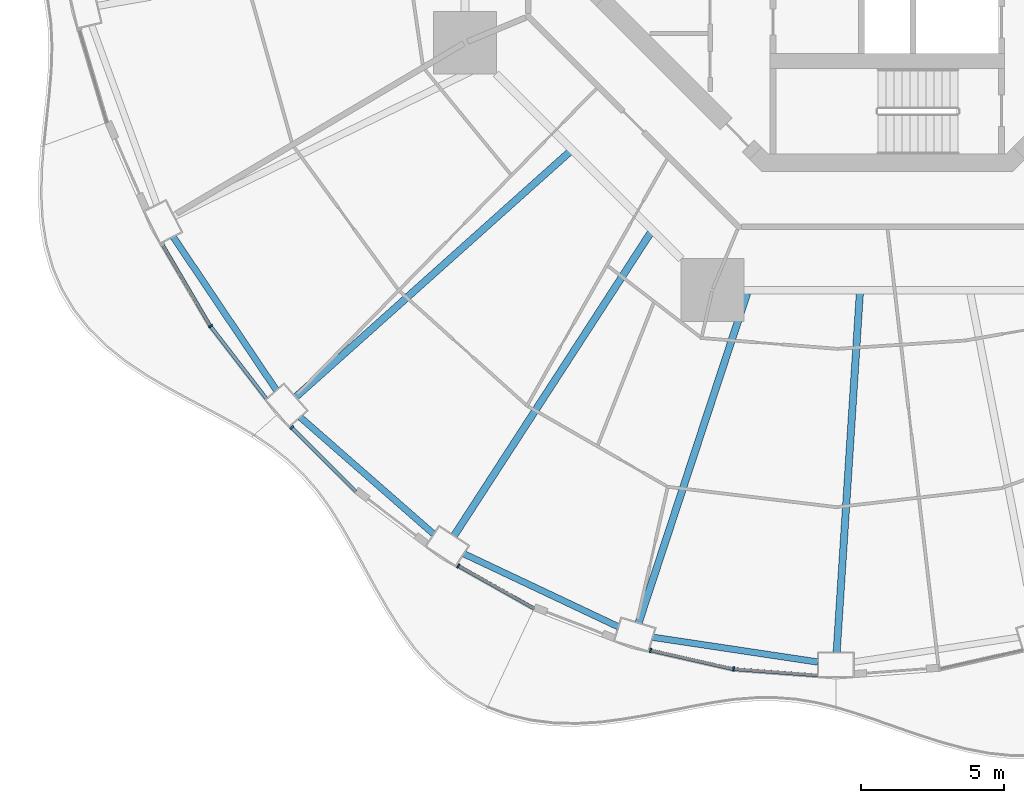
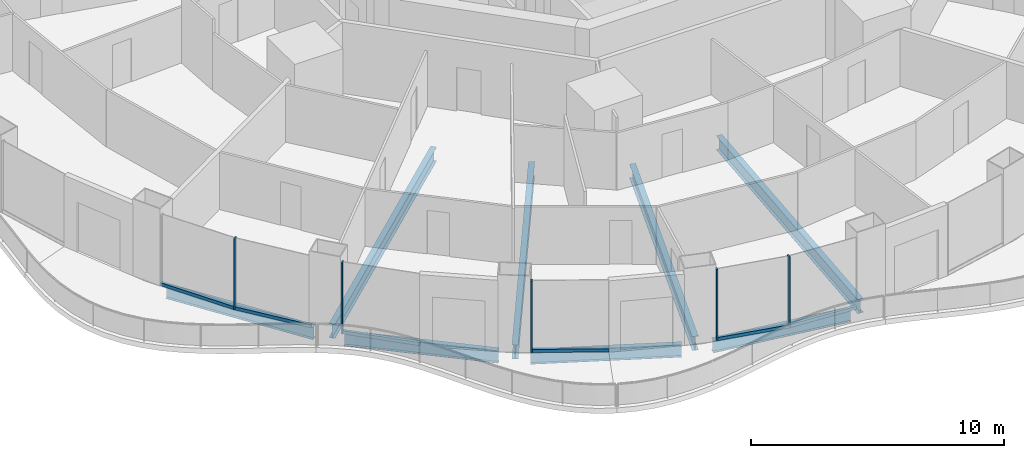
# One storey, part 2 of 22: 11 members, 8 beams, 6 elements without a shape of their own.
"""IFC4 building model written with IfcOpenShell, lengths in metres."""

from ifc_helpers import new_model, si_unit, direction, frame, origin, origin_2d, place, context, subcontext, project, spatial, rectangle, i_section, extrude, material, layer, layer_set, material_profile, profile_set, type_object, element, aggregate, save


model = new_model("IFC4")

# Units and contexts
model_context = context("Model", 3, precision=1e-05, world=origin(), true_north=direction((0.0, 1.0)))
body_context = subcontext(model_context, "Body", "Model", "MODEL_VIEW")
ifc_project = project(units=[si_unit("LENGTHUNIT", "METRE"), si_unit("AREAUNIT", "SQUARE_METRE"), si_unit("VOLUMEUNIT", "CUBIC_METRE"), si_unit("PLANEANGLEUNIT", "RADIAN"), si_unit("MASSUNIT", "GRAM", prefix="KILO")], contexts=[model_context])

# Site, building, storey
site_placement = place(None, origin())
site = spatial("IfcSite", under=ifc_project, at=site_placement, CompositionType="ELEMENT")
building_placement = place(site_placement, origin())
building = spatial("IfcBuilding", under=site, at=building_placement, Name="Nagisa Residences", CompositionType="ELEMENT")
storey_placement = place(building_placement, frame((0.0, 0.0, 88.10009765625)))
storey = spatial("IfcBuildingStorey", under=building, at=storey_placement, Name="L21", CompositionType="ELEMENT", Elevation=88.10009765625)

# Curtain wall, member
ifc_material_1 = material(Name="Concrete-coloured aluminium curtain wall system", Category="concrete")
ifc_layer = layer(ifc_material_1, 0.159912109375)
ifc_layer_set = layer_set([ifc_layer], Name="CW1 CURTAIN WALL")
curtain_wall_type = type_object("IfcCurtainWallType", Name="CW1 CURTAIN WALL", PredefinedType="NOTDEFINED", material=ifc_layer_set)
curtain_wall_1_placement = place(storey_placement, origin())
curtain_wall_1 = element("IfcCurtainWall", 1, at=curtain_wall_1_placement, inside=storey, type_object=curtain_wall_type, Name="cw:CW1:L21:29", PredefinedType="NOTDEFINED")
ifc_material_2 = material(Name="Concrete-coloured aluminium", Category="concrete")
ifc_material_profile_1 = material_profile(ifc_material_2, rectangle(XDim=0.159912109375, YDim=0.06005859375, at=origin_2d()), Name="CW1 MULLION 160x60")
ifc_profile_set_1 = profile_set([ifc_material_profile_1], Name="Concrete-coloured aluminium")
member_type_1 = type_object("IfcMemberType", Name="CW1 MULLION 160x60", PredefinedType="MULLION", material=ifc_profile_set_1)
member_1_placement = place(storey_placement, frame((-23.690185546875, -16.042236328125, 0.0), z_axis=(0.0, 0.0, 1.0), x_axis=(0.792070340816, 0.610429828235, 0.0)))
member_1 = element("IfcMember", 2, at=member_1_placement, type_object=member_type_1, Name="CW1 mullion", PredefinedType="MULLION", context=body_context, shape_type="SweptSolid", body=[
    extrude(rectangle(XDim=0.159912109375, YDim=0.06005859375, at=origin_2d()), origin(), (0.0, 0.0, 1.0), 3.43994140625),
])

curtain_wall_2_placement = place(storey_placement, origin())
curtain_wall_2 = element("IfcCurtainWall", 3, at=curtain_wall_2_placement, inside=storey, type_object=curtain_wall_type, Name="cw:CW1:L21:30", PredefinedType="NOTDEFINED")
member_2_placement = place(storey_placement, frame((-20.845458984375, -19.590576171875, 0.0), z_axis=(0.0, 0.0, 1.0), x_axis=(0.706376885714, 0.707835924016, 0.0)))
member_2 = element("IfcMember", 4, at=member_2_placement, type_object=member_type_1, Name="CW1 mullion", PredefinedType="MULLION", context=body_context, shape_type="SweptSolid", body=[
    extrude(rectangle(XDim=0.159912109375, YDim=0.06005859375, at=origin_2d()), origin(), (0.0, 0.0, 1.0), 3.43994140625),
])

curtain_wall_3_placement = place(storey_placement, origin())
curtain_wall_3 = element("IfcCurtainWall", 5, at=curtain_wall_3_placement, inside=storey, type_object=curtain_wall_type, Name="cw:CW1:L21:32", PredefinedType="NOTDEFINED")
member_3_placement = place(storey_placement, frame((-15.015380859375, -24.43798828125, 0.0), z_axis=(0.0, 0.0, 1.0), x_axis=(0.489376918501, 0.872072377523, 0.0)))
member_3 = element("IfcMember", 6, at=member_3_placement, type_object=member_type_1, Name="CW1 mullion", PredefinedType="MULLION", context=body_context, shape_type="SweptSolid", body=[
    extrude(rectangle(XDim=0.159912109375, YDim=0.06005859375, at=origin_2d()), origin(), (0.0, 0.0, 1.0), 3.43994140625),
])

curtain_wall_4_placement = place(storey_placement, origin())
curtain_wall_4 = element("IfcCurtainWall", 7, at=curtain_wall_4_placement, inside=storey, type_object=curtain_wall_type, Name="cw:CW1:L21:34", PredefinedType="NOTDEFINED")
member_4_placement = place(storey_placement, frame((-8.287109375, -27.3955078125, 0.0), z_axis=(0.0, 0.0, 1.0), x_axis=(0.2207639201, 0.975327274089, 0.0)))
member_4 = element("IfcMember", 8, at=member_4_placement, type_object=member_type_1, Name="CW1 mullion", PredefinedType="MULLION", context=body_context, shape_type="SweptSolid", body=[
    extrude(rectangle(XDim=0.159912109375, YDim=0.06005859375, at=origin_2d()), origin(), (0.0, 0.0, 1.0), 3.43994140625),
])

curtain_wall_5_placement = place(storey_placement, origin())
curtain_wall_5 = element("IfcCurtainWall", 9, at=curtain_wall_5_placement, inside=storey, type_object=curtain_wall_type, Name="cw:CW1:L21:35", PredefinedType="NOTDEFINED")
member_5_placement = place(storey_placement, frame((-5.379150390625, -28.050048828125, 0.0), z_axis=(0.0, 0.0, 1.0), x_axis=(0.074377355493, 0.997230168512, 0.0)))
member_5 = element("IfcMember", 10, at=member_5_placement, type_object=member_type_1, Name="CW1 mullion", PredefinedType="MULLION", context=body_context, shape_type="SweptSolid", body=[
    extrude(rectangle(XDim=0.159912109375, YDim=0.06005859375, at=origin_2d()), origin(), (0.0, 0.0, 1.0), 3.43994140625),
])

curtain_wall_6_placement = place(storey_placement, origin())
curtain_wall_6 = element("IfcCurtainWall", 11, at=curtain_wall_6_placement, inside=storey, type_object=curtain_wall_type, Name="cw:CW1:L21:28", PredefinedType="NOTDEFINED")
ifc_material_3 = material(Name="Concrete-coloured aluminium", Category="concrete")
ifc_material_profile_2 = material_profile(ifc_material_3, rectangle(XDim=0.1201171875, YDim=0.14990234375, at=origin_2d()), Name="CW1 TRANSOM 120x150")
ifc_profile_set_2 = profile_set([ifc_material_profile_2], Name="Concrete-coloured aluminium")
member_type_2 = type_object("IfcMemberType", Name="CW1 TRANSOM 120x150", PredefinedType="USERDEFINED", material=ifc_profile_set_2)
member_6_placement = place(storey_placement, frame((-25.386474609375, -13.159912109375, 0.074951171875), z_axis=(0.506384588027, -0.862307746114, 0.0), x_axis=(0.862307746114, 0.506384588027, 0.0)))
member_6 = element("IfcMember", 12, at=member_6_placement, type_object=member_type_2, Name="CW1 transom", ObjectType="TRANSOM", PredefinedType="USERDEFINED", context=body_context, shape_type="SweptSolid", body=[
    extrude(rectangle(XDim=0.1201171875, YDim=0.14990234375, at=origin_2d()), origin(), (0.0, 0.0, 1.0), 3.32470703125),
])
aggregate(curtain_wall_6, [member_6])

# Member
member_7_placement = place(storey_placement, frame((-23.70849609375, -16.0185546875, 0.074951171875), z_axis=(0.61041202934, -0.792084057684, 0.0), x_axis=(0.792084057684, 0.61041202934, 0.0)))
member_7 = element("IfcMember", 13, at=member_7_placement, type_object=member_type_2, Name="CW1 transom", ObjectType="TRANSOM", PredefinedType="USERDEFINED", context=body_context, shape_type="SweptSolid", body=[
    extrude(rectangle(XDim=0.1201171875, YDim=0.14990234375, at=origin_2d()), origin(), (0.0, 0.0, 1.0), 3.262939453125),
])

aggregate(curtain_wall_1, [member_1, member_7])

member_8_placement = place(storey_placement, frame((-20.86669921875, -19.5693359375, 0.074951171875), z_axis=(0.707869817944, -0.706342920149, 0.0), x_axis=(0.706342920149, 0.707869817944, 0.0)))
member_8 = element("IfcMember", 14, at=member_8_placement, type_object=member_type_2, Name="CW1 transom", ObjectType="TRANSOM", PredefinedType="USERDEFINED", context=body_context, shape_type="SweptSolid", body=[
    extrude(rectangle(XDim=0.1201171875, YDim=0.14990234375, at=origin_2d()), origin(), (0.0, 0.0, 1.0), 3.19775390625),
])

aggregate(curtain_wall_2, [member_2, member_8])

member_9_placement = place(storey_placement, frame((-15.04150390625, -24.42333984375, 0.074951171875), z_axis=(0.872037280335, -0.489439456631, 0.0), x_axis=(0.489439456631, 0.872037280335, 0.0)))
member_9 = element("IfcMember", 15, at=member_9_placement, type_object=member_type_2, Name="CW1 transom", ObjectType="TRANSOM", PredefinedType="USERDEFINED", context=body_context, shape_type="SweptSolid", body=[
    extrude(rectangle(XDim=0.1201171875, YDim=0.14990234375, at=origin_2d()), origin(), (0.0, 0.0, 1.0), 3.07568359375),
])

aggregate(curtain_wall_3, [member_3, member_9])

member_10_placement = place(storey_placement, frame((-8.31640625, -27.388916015625, 0.074951171875), z_axis=(0.975335171471, -0.220729026846, 0.0), x_axis=(0.220729026846, 0.975335171471, 0.0)))
member_10 = element("IfcMember", 16, at=member_10_placement, type_object=member_type_2, Name="CW1 transom", ObjectType="TRANSOM", PredefinedType="USERDEFINED", context=body_context, shape_type="SweptSolid", body=[
    extrude(rectangle(XDim=0.1201171875, YDim=0.14990234375, at=origin_2d()), origin(), (0.0, 0.0, 1.0), 2.992919921875),
])

aggregate(curtain_wall_4, [member_4, member_10])

member_11_placement = place(storey_placement, frame((-5.408935546875, -28.0478515625, 0.074951171875), z_axis=(0.997226174467, -0.074430887117, 0.0), x_axis=(0.074430887117, 0.997226174467, 0.0)))
member_11 = element("IfcMember", 17, at=member_11_placement, type_object=member_type_2, Name="CW1 transom", ObjectType="TRANSOM", PredefinedType="USERDEFINED", context=body_context, shape_type="SweptSolid", body=[
    extrude(rectangle(XDim=0.1201171875, YDim=0.14990234375, at=origin_2d()), origin(), (0.0, 0.0, 1.0), 2.97509765625),
])

aggregate(curtain_wall_5, [member_5, member_11])

# Beams
ifc_material_4 = material(Name="Steel ASTM A572 Gr 50", Category="steel")
ifc_material_profile_3 = material_profile(ifc_material_4, i_section(OverallWidth=0.22802734375, OverallDepth=0.60302734375, WebThickness=0.010498046875, FlangeThickness=0.014892578125, at=origin_2d()), Name="W610x101")
ifc_profile_set_3 = profile_set([ifc_material_profile_3], Name="Steel ASTM A572 Gr 50")
beam_type_1 = type_object("IfcBeamType", Name="Perimeter ring beam W610x101", PredefinedType="BEAM", material=ifc_profile_set_3)
beam_1_placement = place(storey_placement, frame((-24.9970703125, -12.91650390625, -0.5615234375), z_axis=(0.558203607151, -0.829704003222, 0.0), x_axis=(0.829704003222, 0.558203607151, 0.0)))
element("IfcBeam", 18, at=beam_1_placement, inside=storey, type_object=beam_type_1, Name="beam:L21:pb15", PredefinedType="BEAM", context=body_context, shape_type="SweptSolid", body=[
    extrude(i_section(OverallWidth=0.22802734375, OverallDepth=0.60302734375, WebThickness=0.010498046875, FlangeThickness=0.014892578125, at=origin_2d()), origin(), (0.0, 0.0, 1.0), 6.4716796875),
])
beam_2_placement = place(storey_placement, frame((-20.551513671875, -19.231689453125, -0.5615234375), z_axis=(0.752542612886, -0.658543556488, 0.0), x_axis=(0.658543556488, 0.752542612886, 0.0)))
element("IfcBeam", 19, at=beam_2_placement, inside=storey, type_object=beam_type_1, Name="beam:L21:pb16", PredefinedType="BEAM", context=body_context, shape_type="SweptSolid", body=[
    extrude(i_section(OverallWidth=0.22802734375, OverallDepth=0.60302734375, WebThickness=0.010498046875, FlangeThickness=0.014892578125, at=origin_2d()), origin(), (0.0, 0.0, 1.0), 6.212646484375),
])
beam_3_placement = place(storey_placement, frame((-14.822021484375, -24.013916015625, -0.5615234375), z_axis=(0.90418952838, -0.427131474804, 0.0), x_axis=(0.427131474804, 0.90418952838, 0.0)))
element("IfcBeam", 20, at=beam_3_placement, inside=storey, type_object=beam_type_1, Name="beam:L21:pb17", PredefinedType="BEAM", context=body_context, shape_type="SweptSolid", body=[
    extrude(i_section(OverallWidth=0.22802734375, OverallDepth=0.60302734375, WebThickness=0.010498046875, FlangeThickness=0.014892578125, at=origin_2d()), origin(), (0.0, 0.0, 1.0), 5.98046875),
])
beam_4_placement = place(storey_placement, frame((-8.20849609375, -26.93505859375, -0.5615234375), z_axis=(0.988913048607, -0.148495731568, 0.0), x_axis=(0.148495731568, 0.988913048607, 0.0)))
element("IfcBeam", 21, at=beam_4_placement, inside=storey, type_object=beam_type_1, Name="beam:L21:pb18", PredefinedType="BEAM", context=body_context, shape_type="SweptSolid", body=[
    extrude(i_section(OverallWidth=0.22802734375, OverallDepth=0.60302734375, WebThickness=0.010498046875, FlangeThickness=0.014892578125, at=origin_2d()), origin(), (0.0, 0.0, 1.0), 5.843017578125),
])
ifc_material_5 = material(Name="Steel ASTM A572 Gr 50", Category="steel")
ifc_material_profile_4 = material_profile(ifc_material_5, i_section(OverallWidth=0.2529296875, OverallDepth=0.677978515625, WebThickness=0.01171875, FlangeThickness=0.016357421875, at=origin_2d()), Name="W690x125")
ifc_profile_set_4 = profile_set([ifc_material_profile_4], Name="Steel ASTM A572 Gr 50")
beam_type_2 = type_object("IfcBeamType", Name="Radial beam W690x125", PredefinedType="BEAM", material=ifc_profile_set_4)
beam_5_placement = place(storey_placement, frame((-20.709228515625, -18.526611328125, -0.59912109375), z_axis=(0.745284973843, 0.666746059428, 0.0), x_axis=(-0.666746059428, 0.745284973843, 0.0)))
element("IfcBeam", 22, at=beam_5_placement, inside=storey, type_object=beam_type_2, Name="beam:L21:rb16", PredefinedType="BEAM", context=body_context, shape_type="SweptSolid", body=[
    extrude(i_section(OverallWidth=0.2529296875, OverallDepth=0.677978515625, WebThickness=0.01171875, FlangeThickness=0.016357421875, at=origin_2d()), origin(), (0.0, 0.0, 1.0), 12.869384765625),
])
beam_6_placement = place(storey_placement, frame((-15.16357421875, -23.38134765625, -0.59912109375), z_axis=(0.544121648903, 0.839006335611, 0.0), x_axis=(-0.839006335611, 0.544121648903, 0.0)))
element("IfcBeam", 23, at=beam_6_placement, inside=storey, type_object=beam_type_2, Name="beam:L21:rb17", PredefinedType="BEAM", context=body_context, shape_type="SweptSolid", body=[
    extrude(i_section(OverallWidth=0.2529296875, OverallDepth=0.677978515625, WebThickness=0.01171875, FlangeThickness=0.016357421875, at=origin_2d()), origin(), (0.0, 0.0, 1.0), 12.63818359375),
])
beam_7_placement = place(storey_placement, frame((-8.7041015625, -26.431884765625, -0.59912109375), z_axis=(0.312788454633, 0.94982281645, 0.0), x_axis=(-0.94982281645, 0.312788454633, 0.0)))
element("IfcBeam", 24, at=beam_7_placement, inside=storey, type_object=beam_type_2, Name="beam:L21:rb18", PredefinedType="BEAM", context=body_context, shape_type="SweptSolid", body=[
    extrude(i_section(OverallWidth=0.2529296875, OverallDepth=0.677978515625, WebThickness=0.01171875, FlangeThickness=0.016357421875, at=origin_2d()), origin(), (0.0, 0.0, 1.0), 12.145751953125),
])
beam_8_placement = place(storey_placement, frame((-1.772216796875, -27.46728515625, -0.59912109375), z_axis=(0.064392860553, 0.997924626167, 0.0), x_axis=(-0.997924626167, 0.064392860553, 0.0)))
element("IfcBeam", 25, at=beam_8_placement, inside=storey, type_object=beam_type_2, Name="beam:L21:rb19", PredefinedType="BEAM", context=body_context, shape_type="SweptSolid", body=[
    extrude(i_section(OverallWidth=0.2529296875, OverallDepth=0.677978515625, WebThickness=0.01171875, FlangeThickness=0.016357421875, at=origin_2d()), origin(), (0.0, 0.0, 1.0), 12.598876953125),
])

save(model, "model.ifc")
